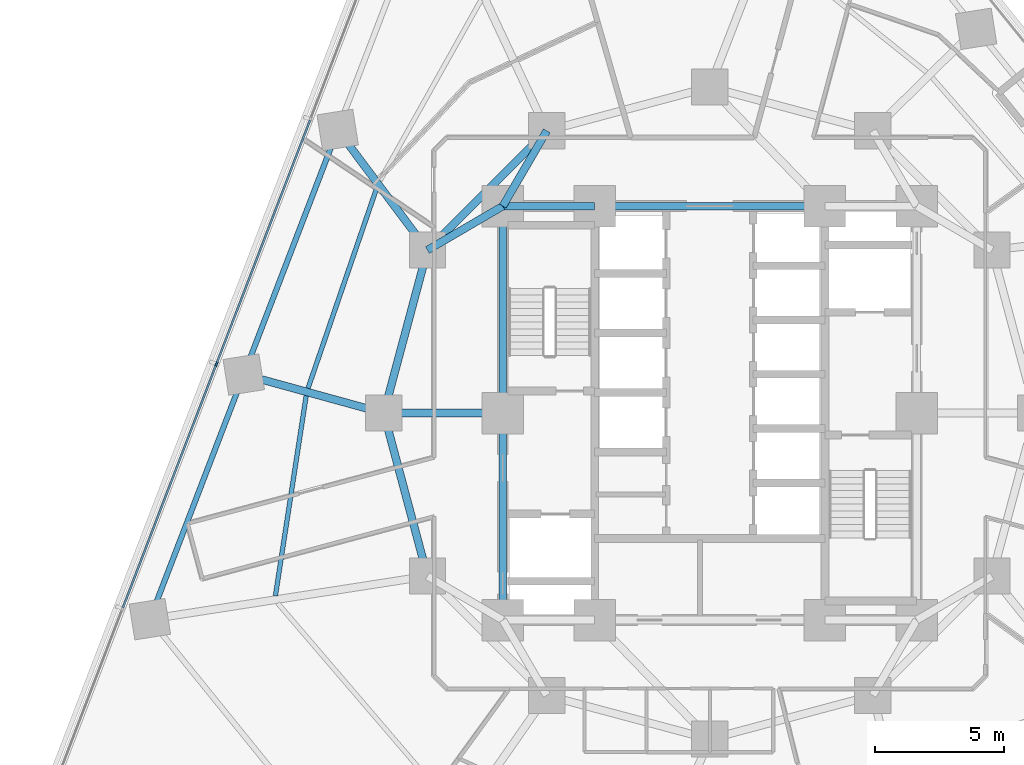
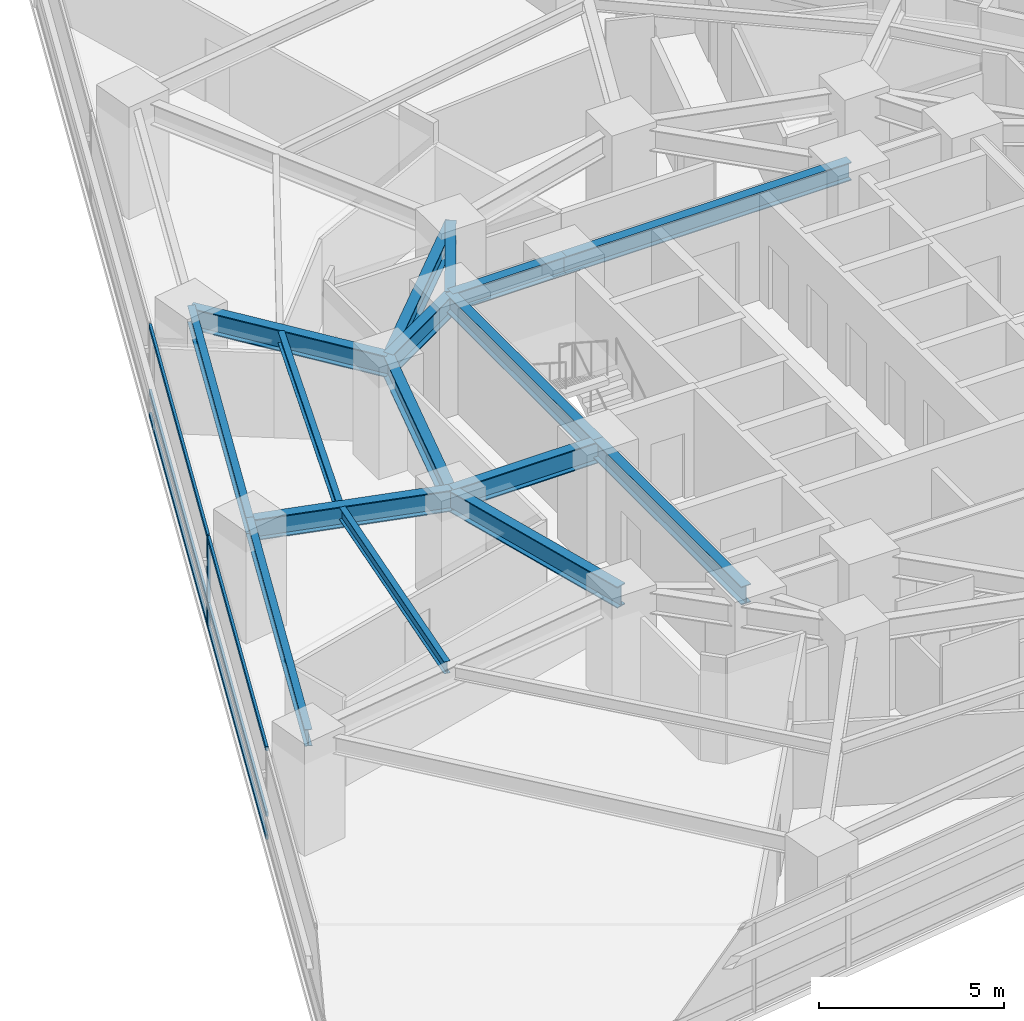
# One storey, part 3 of 14: 16 beams, 7 members, 1 element without a shape of its own.
"""IFC4 building model written with IfcOpenShell, lengths in metres."""

from ifc_helpers import new_model, si_unit, direction, frame, origin, origin_2d, place, context, subcontext, project, spatial, rectangle, i_section, extrude, material, layer, layer_set, material_profile, profile_set, type_object, element, aggregate, save


model = new_model("IFC4")

# Units and contexts
model_context = context("Model", 3, precision=1e-05, world=origin(), true_north=direction((0.0, 1.0)))
body_context = subcontext(model_context, "Body", "Model", "MODEL_VIEW")
ifc_project = project(units=[si_unit("LENGTHUNIT", "METRE"), si_unit("AREAUNIT", "SQUARE_METRE"), si_unit("VOLUMEUNIT", "CUBIC_METRE"), si_unit("PLANEANGLEUNIT", "RADIAN"), si_unit("MASSUNIT", "GRAM", prefix="KILO")], contexts=[model_context])

# Site, building, storey
site_placement = place(None, origin())
site = spatial("IfcSite", under=ifc_project, at=site_placement, CompositionType="ELEMENT")
building_placement = place(site_placement, origin())
building = spatial("IfcBuilding", under=site, at=building_placement, Name="Terralouvre Media Tower", CompositionType="ELEMENT")
storey_placement = place(building_placement, frame((0.0, 0.0, 63.0)))
storey = spatial("IfcBuildingStorey", under=building, at=storey_placement, Name="L15", CompositionType="ELEMENT", Elevation=63.0)

# Beams
ifc_material_1 = material(Name="Structural steel S355J2", Category="steel")
ifc_material_profile_1 = material_profile(ifc_material_1, i_section(OverallWidth=0.179931640625, OverallDepth=0.39990234375, WebThickness=0.008544921875, FlangeThickness=0.013427734375, at=origin_2d()), Name="IPE 400")
ifc_profile_set_1 = profile_set([ifc_material_profile_1], Name="Structural steel S355J2")
beam_type_1 = type_object("IfcBeamType", Name="Composite Floor Joist J-IPE400 (IPE 400)", PredefinedType="JOIST", material=ifc_profile_set_1)
beam_1_placement = place(storey_placement, frame((-12.87841796875, 8.684814453125, 3.300048828125), z_axis=(-0.324414525055, -0.945915015175, 0.0), x_axis=(0.945915015175, -0.324414525055, 0.0)))
element("IfcBeam", 1, at=beam_1_placement, inside=storey, type_object=beam_type_1, Name="L15 Framing Beam JT-L15-11", PredefinedType="JOIST", context=body_context, shape_type="SweptSolid", body=[
    extrude(i_section(OverallWidth=0.179931640625, OverallDepth=0.39990234375, WebThickness=0.008544921875, FlangeThickness=0.013427734375, at=origin_2d()), origin(), (0.0, 0.0, 1.0), 8.165283203125),
])
beam_2_placement = place(storey_placement, frame((-15.598876953125, 0.6708984375, 3.300048828125), z_axis=(-0.152106420826, -0.988364121538, 0.0), x_axis=(0.988364121538, -0.152106420826, 0.0)))
element("IfcBeam", 2, at=beam_2_placement, inside=storey, type_object=beam_type_1, Name="L15 Framing Beam JT-L15-12", PredefinedType="JOIST", context=body_context, shape_type="SweptSolid", body=[
    extrude(i_section(OverallWidth=0.179931640625, OverallDepth=0.39990234375, WebThickness=0.008544921875, FlangeThickness=0.013427734375, at=origin_2d()), origin(), (0.0, 0.0, 1.0), 7.82470703125),
])

# Curtain wall, members
ifc_material_2 = material(Name="Low-iron laminated double glazing with solar-control coating", Category="glass")
ifc_layer = layer(ifc_material_2, 0.1650390625, Name="Lower Media Tower Unitised Curtain Wall CW-02")
ifc_layer_set = layer_set([ifc_layer], Name="Low-iron laminated double glazing with solar-control coating")
curtain_wall_type = type_object("IfcCurtainWallType", Name="Lower Media Tower Unitised Curtain Wall CW-02", PredefinedType="NOTDEFINED", material=ifc_layer_set)
curtain_wall_placement = place(storey_placement, origin())
curtain_wall = element("IfcCurtainWall", 3, at=curtain_wall_placement, inside=storey, type_object=curtain_wall_type, Name="L15 Facade Curtain Wall F2", PredefinedType="NOTDEFINED")
ifc_material_3 = material(Name="Anodised extruded aluminium 6063-T6", Category="aluminium")
ifc_material_profile_2 = material_profile(ifc_material_3, rectangle(XDim=0.074951171875, YDim=0.14990234375, at=origin_2d()), Name="ALU 75x150")
ifc_profile_set_2 = profile_set([ifc_material_profile_2], Name="Anodised extruded aluminium 6063-T6")
member_type_1 = type_object("IfcMemberType", Name="Curtain-Wall Horizontal Transom TR-150", PredefinedType="USERDEFINED", material=ifc_profile_set_2)
member_1_placement = place(storey_placement, frame((-15.449951171875, 11.314697265625, 0.03759765625), z_axis=(-0.358357340084, -0.933584499019, 0.0), x_axis=(0.933584499019, -0.358357340084, 0.0)))
member_1 = element("IfcMember", 4, at=member_1_placement, type_object=member_type_1, Name="CW-02 transom 3.1", ObjectType="TRANSOM", PredefinedType="USERDEFINED", context=body_context, shape_type="SweptSolid", body=[
    extrude(rectangle(XDim=0.074951171875, YDim=0.14990234375, at=origin_2d()), origin(), (0.0, 0.0, 1.0), 10.052978515625),
])
member_2_placement = place(storey_placement, frame((-15.449951171875, 11.314697265625, 0.800048828125), z_axis=(-0.358357340084, -0.933584499019, 0.0), x_axis=(0.933584499019, -0.358357340084, 0.0)))
member_2 = element("IfcMember", 5, at=member_2_placement, type_object=member_type_1, Name="CW-02 transom 3.2", ObjectType="TRANSOM", PredefinedType="USERDEFINED", context=body_context, shape_type="SweptSolid", body=[
    extrude(rectangle(XDim=0.074951171875, YDim=0.14990234375, at=origin_2d()), origin(), (0.0, 0.0, 1.0), 10.052978515625),
])
member_3_placement = place(storey_placement, frame((-15.449951171875, 11.314697265625, 2.96240234375), z_axis=(-0.358357340084, -0.933584499019, 0.0), x_axis=(0.933584499019, -0.358357340084, 0.0)))
member_3 = element("IfcMember", 6, at=member_3_placement, type_object=member_type_1, Name="CW-02 transom 3.3", ObjectType="TRANSOM", PredefinedType="USERDEFINED", context=body_context, shape_type="SweptSolid", body=[
    extrude(rectangle(XDim=0.074951171875, YDim=0.14990234375, at=origin_2d()), origin(), (0.0, 0.0, 1.0), 10.052978515625),
])
member_4_placement = place(storey_placement, frame((-19.079345703125, 1.859375, 0.03759765625), z_axis=(-0.358378506594, -0.933576373957, 0.0), x_axis=(0.933576373957, -0.358378506594, 0.0)))
member_4 = element("IfcMember", 7, at=member_4_placement, type_object=member_type_1, Name="CW-02 transom 4.1", ObjectType="TRANSOM", PredefinedType="USERDEFINED", context=body_context, shape_type="SweptSolid", body=[
    extrude(rectangle(XDim=0.074951171875, YDim=0.14990234375, at=origin_2d()), origin(), (0.0, 0.0, 1.0), 10.052978515625),
])
member_5_placement = place(storey_placement, frame((-19.079345703125, 1.859375, 0.800048828125), z_axis=(-0.358378506594, -0.933576373957, 0.0), x_axis=(0.933576373957, -0.358378506594, 0.0)))
member_5 = element("IfcMember", 8, at=member_5_placement, type_object=member_type_1, Name="CW-02 transom 4.2", ObjectType="TRANSOM", PredefinedType="USERDEFINED", context=body_context, shape_type="SweptSolid", body=[
    extrude(rectangle(XDim=0.074951171875, YDim=0.14990234375, at=origin_2d()), origin(), (0.0, 0.0, 1.0), 10.052978515625),
])
member_6_placement = place(storey_placement, frame((-19.079345703125, 1.859375, 2.96240234375), z_axis=(-0.358378506594, -0.933576373957, 0.0), x_axis=(0.933576373957, -0.358378506594, 0.0)))
member_6 = element("IfcMember", 9, at=member_6_placement, type_object=member_type_1, Name="CW-02 transom 4.3", ObjectType="TRANSOM", PredefinedType="USERDEFINED", context=body_context, shape_type="SweptSolid", body=[
    extrude(rectangle(XDim=0.074951171875, YDim=0.14990234375, at=origin_2d()), origin(), (0.0, 0.0, 1.0), 10.052978515625),
])
ifc_material_4 = material(Name="Anodised extruded aluminium 6063-T6", Category="aluminium")
ifc_material_profile_3 = material_profile(ifc_material_4, rectangle(XDim=0.074951171875, YDim=0.179931640625, at=origin_2d()), Name="ALU 75x180")
ifc_profile_set_3 = profile_set([ifc_material_profile_3], Name="Anodised extruded aluminium 6063-T6")
member_type_2 = type_object("IfcMemberType", Name="Curtain-Wall Vertical Mullion ML-180", PredefinedType="MULLION", material=ifc_profile_set_3)
member_7_placement = place(storey_placement, frame((-19.06591796875, 1.89453125, 0.0), z_axis=(0.0, 0.0, 1.0), x_axis=(0.933580438988, -0.358367917006, 0.0)))
member_7 = element("IfcMember", 10, at=member_7_placement, type_object=member_type_2, Name="CW-02 mullion 4", PredefinedType="MULLION", context=body_context, shape_type="SweptSolid", body=[
    extrude(rectangle(XDim=0.074951171875, YDim=0.179931640625, at=origin_2d()), origin(), (0.0, 0.0, 1.0), 3.0),
])
aggregate(curtain_wall, [member_7, member_1, member_2, member_3, member_4, member_5, member_6])

# Beams
ifc_material_5 = material(Name="Structural steel S355J2", Category="steel")
ifc_material_profile_4 = material_profile(ifc_material_5, i_section(OverallWidth=0.2099609375, OverallDepth=0.550048828125, WebThickness=0.010986328125, FlangeThickness=0.01708984375, at=origin_2d()), Name="IPE 550")
ifc_profile_set_4 = profile_set([ifc_material_profile_4], Name="Structural steel S355J2")
beam_type_2 = type_object("IfcBeamType", Name="Perimeter Spandrel Beam SPB-550 (IPE 550)", PredefinedType="SPANDREL", material=ifc_profile_set_4)
for number, where, z_axis, x_axis, name in (
    (11, (-14.38134765625, 10.94482421875, 3.22509765625), (-0.358374878229, -0.933577766795, 0.0), (0.933577766795, -0.358374878229, 0.0), "L15 Framing Beam BM-L15-PR11"),
    (12, (-18.010986328125, 1.489501953125, 3.22509765625), (-0.358374878229, -0.933577766795, 0.0), (0.933577766795, -0.358374878229, 0.0), "L15 Framing Beam BM-L15-PR12"),
):
    element("IfcBeam", number, at=place(storey_placement, frame(where, z_axis=z_axis, x_axis=x_axis)), inside=storey, type_object=beam_type_2, Name=name, PredefinedType="SPANDREL", context=body_context, shape_type="SweptSolid", body=[
        extrude(i_section(OverallWidth=0.2099609375, OverallDepth=0.550048828125, WebThickness=0.010986328125, FlangeThickness=0.01708984375, at=origin_2d()), origin(), (0.0, 0.0, 1.0), 10.1279296875),
    ])
ifc_material_6 = material(Name="Structural steel S460M", Category="steel")
ifc_material_profile_5 = material_profile(ifc_material_6, i_section(OverallWidth=0.300048828125, OverallDepth=0.60009765625, WebThickness=0.015380859375, FlangeThickness=0.030029296875, at=origin_2d()), Name="HEB 600")
ifc_profile_set_5 = profile_set([ifc_material_profile_5], Name="Structural steel S460M")
beam_type_3 = type_object("IfcBeamType", Name="Primary Floor Girder B-HEB600 (HEB 600)", PredefinedType="BEAM", material=ifc_profile_set_5)
beam_3_placement = place(storey_placement, frame((4.449951171875, 8.0, 3.199951171875), z_axis=(-1.0, 0.0, 0.0), x_axis=(0.0, -1.0, 0.0)))
element("IfcBeam", 13, at=beam_3_placement, inside=storey, type_object=beam_type_3, Name="L15 Framing Beam BM-L15-CPR07", PredefinedType="BEAM", context=body_context, shape_type="SweptSolid", body=[
    extrude(i_section(OverallWidth=0.300048828125, OverallDepth=0.60009765625, WebThickness=0.015380859375, FlangeThickness=0.030029296875, at=origin_2d()), origin(), (0.0, 0.0, 1.0), 8.89990234375),
])
beam_4_placement = place(storey_placement, frame((-4.449951171875, 8.0, 3.199951171875), z_axis=(-1.0, 0.0, 0.0), x_axis=(0.0, -1.0, 0.0)))
element("IfcBeam", 14, at=beam_4_placement, inside=storey, type_object=beam_type_3, Name="L15 Framing Beam BM-L15-CPR08", PredefinedType="BEAM", context=body_context, shape_type="SweptSolid", body=[
    extrude(i_section(OverallWidth=0.300048828125, OverallDepth=0.60009765625, WebThickness=0.015380859375, FlangeThickness=0.030029296875, at=origin_2d()), origin(), (0.0, 0.0, 1.0), 3.550048828125),
])
for number, where, z_axis, x_axis, name in (
    (15, (-8.0, 8.0, 3.199951171875), (0.0, -1.0, 0.0), (1.0, 0.0, 0.0), "L15 Framing Beam BM-L15-CPR09"),
    (16, (-8.0, 0.0, 3.199951171875), (0.0, -1.0, 0.0), (1.0, 0.0, 0.0), "L15 Framing Beam BM-L15-CPR10"),
):
    element("IfcBeam", number, at=place(storey_placement, frame(where, z_axis=z_axis, x_axis=x_axis)), inside=storey, type_object=beam_type_3, Name=name, PredefinedType="BEAM", context=body_context, shape_type="SweptSolid", body=[
        extrude(i_section(OverallWidth=0.300048828125, OverallDepth=0.60009765625, WebThickness=0.015380859375, FlangeThickness=0.030029296875, at=origin_2d()), origin(), (0.0, 0.0, 1.0), 8.0),
    ])
ifc_material_7 = material(Name="Structural steel S460M", Category="steel")
ifc_material_profile_6 = material_profile(ifc_material_7, i_section(OverallWidth=0.300048828125, OverallDepth=0.699951171875, WebThickness=0.01708984375, FlangeThickness=0.031982421875, at=origin_2d()), Name="HEB 700")
ifc_profile_set_6 = profile_set([ifc_material_profile_6], Name="Structural steel S460M")
beam_type_4 = type_object("IfcBeamType", Name="Primary Floor Girder B-HEB700 (HEB 700)", PredefinedType="BEAM", material=ifc_profile_set_6)
beam_5_placement = place(storey_placement, frame((-6.300048828125, 10.911865234375, 3.14990234375), z_axis=(-0.707106781187, -0.707106781187, 0.0), x_axis=(0.707106781187, -0.707106781187, 0.0)))
element("IfcBeam", 17, at=beam_5_placement, inside=storey, type_object=beam_type_4, Name="L15 Framing Beam BM-L15-MR10", PredefinedType="BEAM", context=body_context, shape_type="SweptSolid", body=[
    extrude(i_section(OverallWidth=0.300048828125, OverallDepth=0.699951171875, WebThickness=0.01708984375, FlangeThickness=0.031982421875, at=origin_2d()), origin(), (0.0, 0.0, 1.0), 6.52197265625),
])
for number, where, z_axis, x_axis, name in (
    (18, (-10.911865234375, 6.300048828125, 3.14990234375), (-0.258838989821, -0.965920481897, 0.0), (0.965920481897, -0.258838989821, 0.0), "L15 Framing Beam BM-L15-MR11"),
    (19, (-12.60009765625, 0.0, 3.14990234375), (0.258838989821, -0.965920481897, 0.0), (0.965920481897, 0.258838989821, 0.0), "L15 Framing Beam BM-L15-MR12"),
):
    element("IfcBeam", number, at=place(storey_placement, frame(where, z_axis=z_axis, x_axis=x_axis)), inside=storey, type_object=beam_type_4, Name=name, PredefinedType="BEAM", context=body_context, shape_type="SweptSolid", body=[
        extrude(i_section(OverallWidth=0.300048828125, OverallDepth=0.699951171875, WebThickness=0.01708984375, FlangeThickness=0.031982421875, at=origin_2d()), origin(), (0.0, 0.0, 1.0), 6.522216796875),
    ])
for number, where, z_axis, x_axis, name in (
    (20, (-8.0, 8.0, 3.14990234375), (0.504172629717, 0.863602894532, 0.0), (-0.863602894532, 0.504172629717, 0.0), "L15 Framing Beam BM-L15-CM10"),
    (21, (-8.0, 8.0, 3.14990234375), (-0.863602894532, -0.504172629717, 0.0), (0.504172629717, -0.863602894532, 0.0), "L15 Framing Beam BM-L15-CM11"),
):
    element("IfcBeam", number, at=place(storey_placement, frame(where, z_axis=z_axis, x_axis=x_axis)), inside=storey, type_object=beam_type_4, Name=name, PredefinedType="BEAM", context=body_context, shape_type="SweptSolid", body=[
        extrude(i_section(OverallWidth=0.300048828125, OverallDepth=0.699951171875, WebThickness=0.01708984375, FlangeThickness=0.031982421875, at=origin_2d()), origin(), (0.0, 0.0, 1.0), 3.371826171875),
    ])
beam_6_placement = place(storey_placement, frame((-8.0, 0.0, 3.14990234375), z_axis=(-1.0, 0.0, 0.0), x_axis=(0.0, -1.0, 0.0)))
element("IfcBeam", 22, at=beam_6_placement, inside=storey, type_object=beam_type_4, Name="L15 Framing Beam BM-L15-CM12", PredefinedType="BEAM", context=body_context, shape_type="SweptSolid", body=[
    extrude(i_section(OverallWidth=0.300048828125, OverallDepth=0.699951171875, WebThickness=0.01708984375, FlangeThickness=0.031982421875, at=origin_2d()), origin(), (0.0, 0.0, 1.0), 4.60009765625),
])
beam_7_placement = place(storey_placement, frame((-10.911865234375, 6.300048828125, 3.14990234375), z_axis=(-0.598442434067, 0.801165808749, 0.0), x_axis=(-0.801165808749, -0.598442434067, 0.0)))
element("IfcBeam", 23, at=beam_7_placement, inside=storey, type_object=beam_type_4, Name="L15 Framing Beam BM-L15-RD11", PredefinedType="BEAM", context=body_context, shape_type="SweptSolid", body=[
    extrude(i_section(OverallWidth=0.300048828125, OverallDepth=0.699951171875, WebThickness=0.01708984375, FlangeThickness=0.031982421875, at=origin_2d()), origin(), (0.0, 0.0, 1.0), 5.797607421875),
])
beam_8_placement = place(storey_placement, frame((-12.60009765625, 0.0, 3.14990234375), z_axis=(-0.964136682273, 0.265406212992, 0.0), x_axis=(-0.265406212992, -0.964136682273, 0.0)))
element("IfcBeam", 24, at=beam_8_placement, inside=storey, type_object=beam_type_4, Name="L15 Framing Beam BM-L15-RD12", PredefinedType="BEAM", context=body_context, shape_type="SweptSolid", body=[
    extrude(i_section(OverallWidth=0.300048828125, OverallDepth=0.699951171875, WebThickness=0.01708984375, FlangeThickness=0.031982421875, at=origin_2d()), origin(), (0.0, 0.0, 1.0), 5.612060546875),
])

save(model, "model.ifc")
